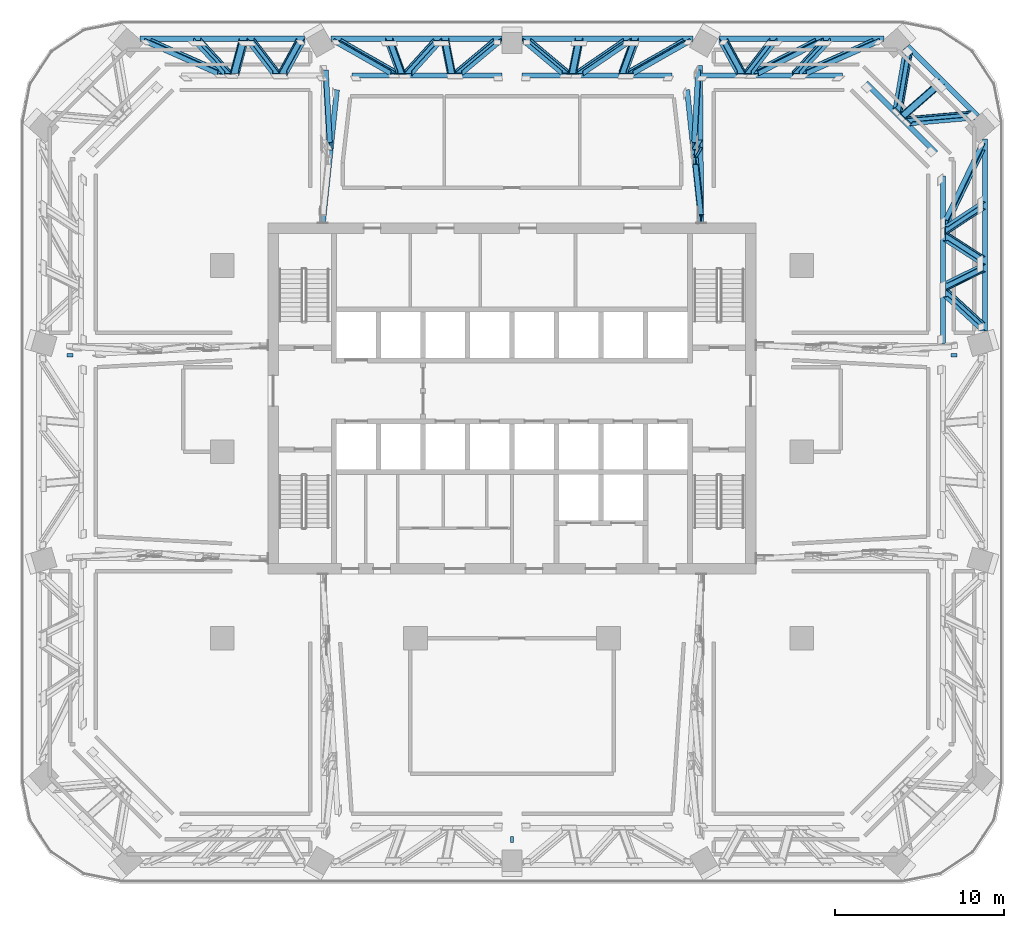
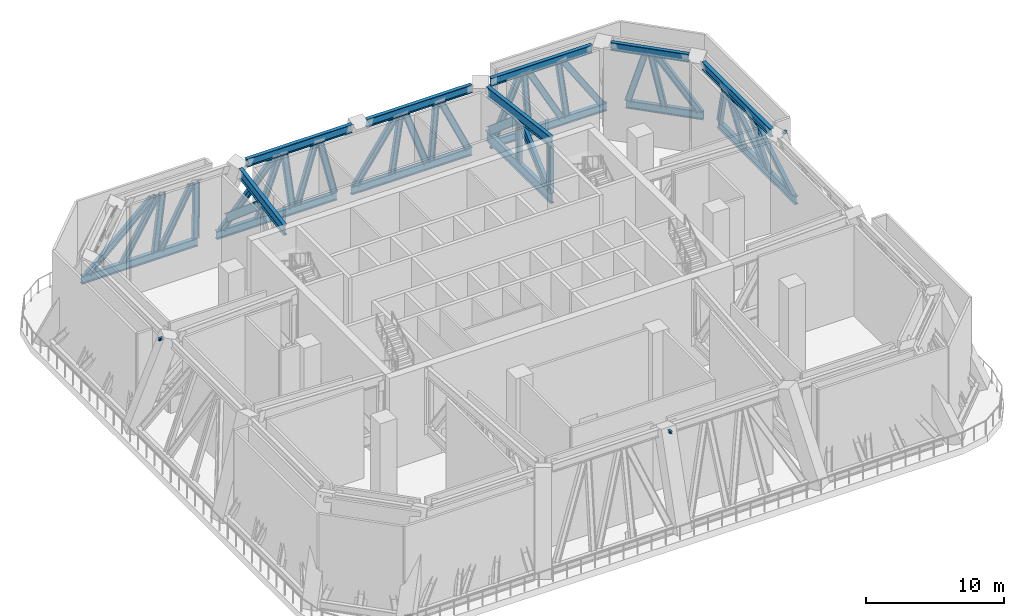
# One storey, part 4 of 24: 47 members, 3 beams.
"""IFC4 building model written with IfcOpenShell, lengths in metres."""

from ifc_helpers import new_model, si_unit, direction, frame, origin, origin_2d, place, context, subcontext, project, spatial, i_section, extrude, material, material_profile, profile_set, type_object, element, save


model = new_model("IFC4")

# Units and contexts
model_context = context("Model", 3, precision=1e-05, world=origin(), true_north=direction((0.0, 1.0)))
body_context = subcontext(model_context, "Body", "Model", "MODEL_VIEW")
ifc_project = project(units=[si_unit("LENGTHUNIT", "METRE"), si_unit("AREAUNIT", "SQUARE_METRE"), si_unit("VOLUMEUNIT", "CUBIC_METRE"), si_unit("PLANEANGLEUNIT", "RADIAN"), si_unit("MASSUNIT", "GRAM", prefix="KILO")], contexts=[model_context])

# Site, building, storey
site_placement = place(None, origin())
site = spatial("IfcSite", under=ifc_project, at=site_placement, CompositionType="ELEMENT")
building_placement = place(site_placement, origin())
building = spatial("IfcBuilding", under=site, at=building_placement, Name="Mopane Tessera Tower", CompositionType="ELEMENT")
storey_placement = place(building_placement, frame((0.0, 0.0, 148.60009765625)))
storey = spatial("IfcBuildingStorey", under=building, at=storey_placement, Name="L30", CompositionType="ELEMENT", Elevation=148.60009765625)

# Members
ifc_material_1 = material(Name="Structural steel S460", Category="steel")
ifc_material_profile_1 = material_profile(ifc_material_1, i_section(OverallWidth=0.303955078125, OverallDepth=0.716064453125, WebThickness=0.02099609375, FlangeThickness=0.0400390625, FilletRadius=0.027099609375, at=origin_2d()))
ifc_profile_set_1 = profile_set([ifc_material_profile_1], Name="Structural steel S460")
member_type_1 = type_object("IfcMemberType", Name="Belt truss chord HE 700 M", PredefinedType="CHORD", material=ifc_profile_set_1)
member_1_placement = place(storey_placement, frame((27.928466796875, 7.133544921875, 0.35791015625), z_axis=(0.0, 1.0, 0.0), x_axis=(-1.0, 0.0, 0.0)))
element("IfcMember", 1, at=member_1_placement, inside=storey, type_object=member_type_1, Name="Belt truss bottom chord L30 E2-E3", PredefinedType="CHORD", context=body_context, shape_type="SweptSolid", body=[
    extrude(i_section(OverallWidth=0.303955078125, OverallDepth=0.716064453125, WebThickness=0.02099609375, FlangeThickness=0.0400390625, FilletRadius=0.027099609375, at=origin_2d()), origin(), (0.0, 0.0, 1.0), 11.3291015625),
])
member_2_placement = place(storey_placement, frame((25.45703125, 6.410888671875, 7.641845703125), z_axis=(0.0, 1.0, 0.0), x_axis=(-1.0, 0.0, 0.0)))
element("IfcMember", 2, at=member_2_placement, inside=storey, type_object=member_type_1, Name="Belt truss top chord L30 E2-E3", PredefinedType="CHORD", context=body_context, shape_type="SweptSolid", body=[
    extrude(i_section(OverallWidth=0.303955078125, OverallDepth=0.716064453125, WebThickness=0.02099609375, FlangeThickness=0.0400390625, FilletRadius=0.027099609375, at=origin_2d()), origin(), (0.0, 0.0, 1.0), 9.884033203125),
])
member_3_placement = place(storey_placement, frame((27.496826171875, 19.8251953125, 0.35791015625), z_axis=(-0.707106781187, 0.707106781187, 0.0), x_axis=(-0.707106781187, -0.707106781187, 0.0)))
element("IfcMember", 3, at=member_3_placement, inside=storey, type_object=member_type_1, Name="Belt truss bottom chord L30 E3-N0", PredefinedType="CHORD", context=body_context, shape_type="SweptSolid", body=[
    extrude(i_section(OverallWidth=0.303955078125, OverallDepth=0.716064453125, WebThickness=0.02099609375, FlangeThickness=0.0400390625, FilletRadius=0.027099609375, at=origin_2d()), origin(), (0.0, 0.0, 1.0), 5.849853515625),
])
member_4_placement = place(storey_placement, frame((25.025390625, 17.657470703125, 7.641845703125), z_axis=(-0.707127648719, 0.707085913038, 0.0), x_axis=(-0.707085913038, -0.707127648719, 0.0)))
element("IfcMember", 4, at=member_4_placement, inside=storey, type_object=member_type_1, Name="Belt truss top chord L30 E3-N0", PredefinedType="CHORD", context=body_context, shape_type="SweptSolid", body=[
    extrude(i_section(OverallWidth=0.303955078125, OverallDepth=0.716064453125, WebThickness=0.02099609375, FlangeThickness=0.0400390625, FilletRadius=0.027099609375, at=origin_2d()), origin(), (0.0, 0.0, 1.0), 5.849609375),
])
member_5_placement = place(storey_placement, frame((21.97216796875, 24.3935546875, 0.35791015625), z_axis=(-1.0, 0.0, 0.0), x_axis=(0.0, -1.0, 0.0)))
element("IfcMember", 5, at=member_5_placement, inside=storey, type_object=member_type_1, Name="Belt truss bottom chord L30 N0-N1", PredefinedType="CHORD", context=body_context, shape_type="SweptSolid", body=[
    extrude(i_section(OverallWidth=0.303955078125, OverallDepth=0.716064453125, WebThickness=0.02099609375, FlangeThickness=0.0400390625, FilletRadius=0.027099609375, at=origin_2d()), origin(), (0.0, 0.0, 1.0), 9.7314453125),
])
member_6_placement = place(storey_placement, frame((19.500732421875, 22.2255859375, 7.641845703125), z_axis=(-1.0, 0.0, 0.0), x_axis=(0.0, -1.0, 0.0)))
element("IfcMember", 6, at=member_6_placement, inside=storey, type_object=member_type_1, Name="Belt truss top chord L30 N0-N1", PredefinedType="CHORD", context=body_context, shape_type="SweptSolid", body=[
    extrude(i_section(OverallWidth=0.303955078125, OverallDepth=0.716064453125, WebThickness=0.02099609375, FlangeThickness=0.0400390625, FilletRadius=0.027099609375, at=origin_2d()), origin(), (0.0, 0.0, 1.0), 8.495361328125),
])
member_7_placement = place(storey_placement, frame((10.6875, 24.3935546875, 0.35791015625), z_axis=(-1.0, 0.0, 0.0), x_axis=(0.0, -1.0, 0.0)))
element("IfcMember", 7, at=member_7_placement, inside=storey, type_object=member_type_1, Name="Belt truss bottom chord L30 N1-N2", PredefinedType="CHORD", context=body_context, shape_type="SweptSolid", body=[
    extrude(i_section(OverallWidth=0.303955078125, OverallDepth=0.716064453125, WebThickness=0.02099609375, FlangeThickness=0.0400390625, FilletRadius=0.027099609375, at=origin_2d()), origin(), (0.0, 0.0, 1.0), 10.087890625),
])
member_8_placement = place(storey_placement, frame((9.451904296875, 22.2255859375, 7.641845703125), z_axis=(-1.0, 0.0, 0.0), x_axis=(0.0, -1.0, 0.0)))
element("IfcMember", 8, at=member_8_placement, inside=storey, type_object=member_type_1, Name="Belt truss top chord L30 N1-N2", PredefinedType="CHORD", context=body_context, shape_type="SweptSolid", body=[
    extrude(i_section(OverallWidth=0.303955078125, OverallDepth=0.716064453125, WebThickness=0.02099609375, FlangeThickness=0.0400390625, FilletRadius=0.027099609375, at=origin_2d()), origin(), (0.0, 0.0, 1.0), 8.852294921875),
])
member_9_placement = place(storey_placement, frame((-0.599609375, 24.3935546875, 0.35791015625), z_axis=(-1.0, 0.0, 0.0), x_axis=(0.0, -1.0, 0.0)))
element("IfcMember", 9, at=member_9_placement, inside=storey, type_object=member_type_1, Name="Belt truss bottom chord L30 N2-N3", PredefinedType="CHORD", context=body_context, shape_type="SweptSolid", body=[
    extrude(i_section(OverallWidth=0.303955078125, OverallDepth=0.716064453125, WebThickness=0.02099609375, FlangeThickness=0.0400390625, FilletRadius=0.027099609375, at=origin_2d()), origin(), (0.0, 0.0, 1.0), 10.087890625),
])
member_10_placement = place(storey_placement, frame((-0.599609375, 22.2255859375, 7.641845703125), z_axis=(-1.0, 0.0, 0.0), x_axis=(0.0, -1.0, 0.0)))
element("IfcMember", 10, at=member_10_placement, inside=storey, type_object=member_type_1, Name="Belt truss top chord L30 N2-N3", PredefinedType="CHORD", context=body_context, shape_type="SweptSolid", body=[
    extrude(i_section(OverallWidth=0.303955078125, OverallDepth=0.716064453125, WebThickness=0.02099609375, FlangeThickness=0.0400390625, FilletRadius=0.027099609375, at=origin_2d()), origin(), (0.0, 0.0, 1.0), 8.852294921875),
])
member_11_placement = place(storey_placement, frame((-12.24072265625, 24.3935546875, 0.35791015625), z_axis=(-1.0, 0.0, 0.0), x_axis=(0.0, -1.0, 0.0)))
element("IfcMember", 11, at=member_11_placement, inside=storey, type_object=member_type_1, Name="Belt truss bottom chord L30 N3-N4", PredefinedType="CHORD", context=body_context, shape_type="SweptSolid", body=[
    extrude(i_section(OverallWidth=0.303955078125, OverallDepth=0.716064453125, WebThickness=0.02099609375, FlangeThickness=0.0400390625, FilletRadius=0.027099609375, at=origin_2d()), origin(), (0.0, 0.0, 1.0), 9.7314453125),
])
ifc_material_2 = material(Name="Structural steel S460", Category="steel")
ifc_material_profile_2 = material_profile(ifc_material_2, i_section(OverallWidth=0.300048828125, OverallDepth=0.5, WebThickness=0.014404296875, FlangeThickness=0.028076171875, FilletRadius=0.027099609375, at=origin_2d()))
ifc_profile_set_2 = profile_set([ifc_material_profile_2], Name="Structural steel S460")
member_type_2 = type_object("IfcMemberType", Name="Belt truss diagonal HE 500 B", PredefinedType="BRACE", material=ifc_profile_set_2)
member_12_placement = place(storey_placement, frame((27.782958984375, 7.377197265625, 0.787109375), z_axis=(-0.308034642932, 0.284337016987, 0.907891579168), x_axis=(-0.951375140784, -0.092078103531, -0.293950615494)))
element("IfcMember", 12, at=member_12_placement, inside=storey, type_object=member_type_2, Name="Belt truss diagonal 0 L30 E2-E3", PredefinedType="BRACE", context=body_context, shape_type="SweptSolid", body=[
    extrude(i_section(OverallWidth=0.300048828125, OverallDepth=0.5, WebThickness=0.014404296875, FlangeThickness=0.028076171875, FilletRadius=0.027099609375, at=origin_2d()), origin(), (0.0, 0.0, 1.0), 7.07763671875),
])
member_13_placement = place(storey_placement, frame((27.78564453125, 11.291259765625, 0.779541015625), z_axis=(-0.314628603401, 0.203285505146, 0.927191374701), x_axis=(-0.949214855117, -0.06740952681, -0.307322492701)))
element("IfcMember", 13, at=member_13_placement, inside=storey, type_object=member_type_2, Name="Belt truss diagonal 1 L30 E2-E3", PredefinedType="BRACE", context=body_context, shape_type="SweptSolid", body=[
    extrude(i_section(OverallWidth=0.300048828125, OverallDepth=0.5, WebThickness=0.014404296875, FlangeThickness=0.028076171875, FilletRadius=0.027099609375, at=origin_2d()), origin(), (0.0, 0.0, 1.0), 6.946533203125),
])
member_14_placement = place(storey_placement, frame((25.602783203125, 13.484375, 7.212890625), z_axis=(0.267157591425, 0.5555262391, -0.787411848409), x_axis=(-0.963652852959, 0.153995532867, -0.218308393888)))
element("IfcMember", 14, at=member_14_placement, inside=storey, type_object=member_type_2, Name="Belt truss diagonal 2 L30 E2-E3", PredefinedType="BRACE", context=body_context, shape_type="SweptSolid", body=[
    extrude(i_section(OverallWidth=0.300048828125, OverallDepth=0.5, WebThickness=0.014404296875, FlangeThickness=0.028076171875, FilletRadius=0.027099609375, at=origin_2d()), origin(), (0.0, 0.0, 1.0), 8.16064453125),
])
member_15_placement = place(storey_placement, frame((27.20263671875, 19.86328125, 0.759765625), z_axis=(-0.504595818255, -0.044567108449, 0.862204635248), x_axis=(-0.554692988801, -0.748541479717, -0.363319888415)))
element("IfcMember", 15, at=member_15_placement, inside=storey, type_object=member_type_2, Name="Belt truss diagonal 0 L30 E3-N0", PredefinedType="BRACE", context=body_context, shape_type="SweptSolid", body=[
    extrude(i_section(OverallWidth=0.300048828125, OverallDepth=0.5, WebThickness=0.014404296875, FlangeThickness=0.028076171875, FilletRadius=0.027099609375, at=origin_2d()), origin(), (0.0, 0.0, 1.0), 7.515869140625),
])
member_16_placement = place(storey_placement, frame((22.776611328125, 20.161865234375, 7.239990234375), z_axis=(0.081781629419, 0.475976340966, -0.875647353636), x_axis=(-0.734409592741, -0.565169586582, -0.375800330619)))
element("IfcMember", 16, at=member_16_placement, inside=storey, type_object=member_type_2, Name="Belt truss diagonal 1 L30 E3-N0", PredefinedType="BRACE", context=body_context, shape_type="SweptSolid", body=[
    extrude(i_section(OverallWidth=0.300048828125, OverallDepth=0.5, WebThickness=0.014404296875, FlangeThickness=0.028076171875, FilletRadius=0.027099609375, at=origin_2d()), origin(), (0.0, 0.0, 1.0), 7.400390625),
])
member_17_placement = place(storey_placement, frame((21.50634765625, 24.271240234375, 0.768798828125), z_axis=(-0.539957771067, -0.240096366228, 0.806721352382), x_axis=(0.133562461913, -0.970749058537, -0.199517753889)))
element("IfcMember", 17, at=member_17_placement, inside=storey, type_object=member_type_2, Name="Belt truss diagonal 0 L30 N0-N1", PredefinedType="BRACE", context=body_context, shape_type="SweptSolid", body=[
    extrude(i_section(OverallWidth=0.300048828125, OverallDepth=0.5, WebThickness=0.014404296875, FlangeThickness=0.028076171875, FilletRadius=0.027099609375, at=origin_2d()), origin(), (0.0, 0.0, 1.0), 8.0107421875),
])
member_18_placement = place(storey_placement, frame((18.126220703125, 24.273681640625, 0.7607421875), z_axis=(-0.489528727002, -0.248748496806, 0.83575463551), x_axis=(0.125750463876, -0.968568110283, -0.214622078497)))
element("IfcMember", 18, at=member_18_placement, inside=storey, type_object=member_type_2, Name="Belt truss diagonal 1 L30 N0-N1", PredefinedType="BRACE", context=body_context, shape_type="SweptSolid", body=[
    extrude(i_section(OverallWidth=0.300048828125, OverallDepth=0.5, WebThickness=0.014404296875, FlangeThickness=0.028076171875, FilletRadius=0.027099609375, at=origin_2d()), origin(), (0.0, 0.0, 1.0), 7.751708984375),
])
member_19_placement = place(storey_placement, frame((13.532958984375, 22.347900390625, 7.231201171875), z_axis=(-0.154753056421, 0.281817979308, -0.946905548652), x_axis=(-0.045419249479, -0.959467886571, -0.278133900157)))
element("IfcMember", 19, at=member_19_placement, inside=storey, type_object=member_type_2, Name="Belt truss diagonal 2 L30 N0-N1", PredefinedType="BRACE", context=body_context, shape_type="SweptSolid", body=[
    extrude(i_section(OverallWidth=0.300048828125, OverallDepth=0.5, WebThickness=0.014404296875, FlangeThickness=0.028076171875, FilletRadius=0.027099609375, at=origin_2d()), origin(), (0.0, 0.0, 1.0), 6.82470703125),
])
member_20_placement = place(storey_placement, frame((10.31396484375, 24.269775390625, 0.7734375), z_axis=(-0.447801640419, -0.255043639384, 0.856986833532), x_axis=(0.118069036868, -0.966929542152, -0.226068491937)))
element("IfcMember", 20, at=member_20_placement, inside=storey, type_object=member_type_2, Name="Belt truss diagonal 0 L30 N1-N2", PredefinedType="BRACE", context=body_context, shape_type="SweptSolid", body=[
    extrude(i_section(OverallWidth=0.300048828125, OverallDepth=0.5, WebThickness=0.014404296875, FlangeThickness=0.028076171875, FilletRadius=0.027099609375, at=origin_2d()), origin(), (0.0, 0.0, 1.0), 7.52978515625),
])
member_21_placement = place(storey_placement, frame((6.800048828125, 24.272216796875, 0.765380859375), z_axis=(-0.386206711804, -0.263121047886, 0.884088055522), x_axis=(0.105312041538, -0.964762827733, -0.241126647496)))
element("IfcMember", 21, at=member_21_placement, inside=storey, type_object=member_type_2, Name="Belt truss diagonal 1 L30 N1-N2", PredefinedType="BRACE", context=body_context, shape_type="SweptSolid", body=[
    extrude(i_section(OverallWidth=0.300048828125, OverallDepth=0.5, WebThickness=0.014404296875, FlangeThickness=0.028076171875, FilletRadius=0.027099609375, at=origin_2d()), origin(), (0.0, 0.0, 1.0), 7.317138671875),
])
for number, where, z_axis, x_axis, name in (
    (22, (3.178466796875, 22.349365234375, 7.226318359375), (-0.322762135486, 0.269975218814, -0.907159294238), (-0.090500976826, -0.962867270821, -0.254354461284), "Belt truss diagonal 2 L30 N1-N2"),
    (23, (-0.882568359375, 24.269775390625, 0.7734375), (-0.322762135486, -0.269975218814, 0.907159294238), (0.090500976826, -0.962867270821, -0.254354461284), "Belt truss diagonal 0 L30 N2-N3"),
):
    element("IfcMember", number, at=place(storey_placement, frame(where, z_axis=z_axis, x_axis=x_axis)), inside=storey, type_object=member_type_2, Name=name, PredefinedType="BRACE", context=body_context, shape_type="SweptSolid", body=[
        extrude(i_section(OverallWidth=0.300048828125, OverallDepth=0.5, WebThickness=0.014404296875, FlangeThickness=0.028076171875, FilletRadius=0.027099609375, at=origin_2d()), origin(), (0.0, 0.0, 1.0), 7.11328125),
    ])
member_22_placement = place(storey_placement, frame((-4.397705078125, 24.272216796875, 0.765380859375), z_axis=(-0.2506543194, -0.276146963229, 0.927855197143), x_axis=(0.072015912907, -0.961115422151, -0.266591173133)))
element("IfcMember", 24, at=member_22_placement, inside=storey, type_object=member_type_2, Name="Belt truss diagonal 1 L30 N2-N3", PredefinedType="BRACE", context=body_context, shape_type="SweptSolid", body=[
    extrude(i_section(OverallWidth=0.300048828125, OverallDepth=0.5, WebThickness=0.014404296875, FlangeThickness=0.028076171875, FilletRadius=0.027099609375, at=origin_2d()), origin(), (0.0, 0.0, 1.0), 6.971923828125),
])
member_23_placement = place(storey_placement, frame((-6.942138671875, 22.349365234375, 7.226318359375), z_axis=(-0.447801640419, 0.255043639384, -0.856986833532), x_axis=(-0.118069036868, -0.966929542152, -0.226068491937)))
element("IfcMember", 25, at=member_23_placement, inside=storey, type_object=member_type_2, Name="Belt truss diagonal 2 L30 N2-N3", PredefinedType="BRACE", context=body_context, shape_type="SweptSolid", body=[
    extrude(i_section(OverallWidth=0.300048828125, OverallDepth=0.5, WebThickness=0.014404296875, FlangeThickness=0.028076171875, FilletRadius=0.027099609375, at=origin_2d()), origin(), (0.0, 0.0, 1.0), 7.52978515625),
])
member_24_placement = place(storey_placement, frame((-12.476806640625, 24.271240234375, 0.768798828125), z_axis=(-0.154753056421, -0.281817979308, 0.946905548652), x_axis=(0.045419249479, -0.959467886571, -0.278133900157)))
element("IfcMember", 26, at=member_24_placement, inside=storey, type_object=member_type_2, Name="Belt truss diagonal 0 L30 N3-N4", PredefinedType="BRACE", context=body_context, shape_type="SweptSolid", body=[
    extrude(i_section(OverallWidth=0.300048828125, OverallDepth=0.5, WebThickness=0.014404296875, FlangeThickness=0.028076171875, FilletRadius=0.027099609375, at=origin_2d()), origin(), (0.0, 0.0, 1.0), 6.82470703125),
])
member_25_placement = place(storey_placement, frame((-15.861083984375, 24.273681640625, 0.7607421875), z_axis=(-0.076276738224, -0.284435164539, 0.955656055482), x_axis=(0.022662644211, -0.958695278084, -0.283530894855)))
element("IfcMember", 27, at=member_25_placement, inside=storey, type_object=member_type_2, Name="Belt truss diagonal 1 L30 N3-N4", PredefinedType="BRACE", context=body_context, shape_type="SweptSolid", body=[
    extrude(i_section(OverallWidth=0.300048828125, OverallDepth=0.5, WebThickness=0.014404296875, FlangeThickness=0.028076171875, FilletRadius=0.027099609375, at=origin_2d()), origin(), (0.0, 0.0, 1.0), 6.779052734375),
])
member_26_placement = place(storey_placement, frame((-17.180908203125, 22.347900390625, 7.231201171875), z_axis=(-0.539957771067, 0.240096366228, -0.806721352382), x_axis=(-0.133562461913, -0.970749058537, -0.199517753889)))
element("IfcMember", 28, at=member_26_placement, inside=storey, type_object=member_type_2, Name="Belt truss diagonal 2 L30 N3-N4", PredefinedType="BRACE", context=body_context, shape_type="SweptSolid", body=[
    extrude(i_section(OverallWidth=0.300048828125, OverallDepth=0.5, WebThickness=0.014404296875, FlangeThickness=0.028076171875, FilletRadius=0.027099609375, at=origin_2d()), origin(), (0.0, 0.0, 1.0), 8.0107421875),
])
ifc_material_3 = material(Name="Structural steel S460", Category="steel")
ifc_material_profile_3 = material_profile(ifc_material_3, i_section(OverallWidth=0.300048828125, OverallDepth=0.449951171875, WebThickness=0.013916015625, FlangeThickness=0.02587890625, FilletRadius=0.027099609375, at=origin_2d()))
ifc_profile_set_3 = profile_set([ifc_material_profile_3], Name="Structural steel S460")
member_type_3 = type_object("IfcMemberType", Name="Belt truss post HE 450 B", PredefinedType="POST", material=ifc_profile_set_3)
member_27_placement = place(storey_placement, frame((27.80712890625, 10.866943359375, 0.7158203125), z_axis=(-0.317327080208, -0.156821040624, 0.935259688741), x_axis=(-0.948316151939, 0.052487909456, -0.312956059746)))
element("IfcMember", 29, at=member_27_placement, inside=storey, type_object=member_type_3, Name="Belt truss post 1 L30 E2-E3", PredefinedType="POST", context=body_context, shape_type="SweptSolid", body=[
    extrude(i_section(OverallWidth=0.300048828125, OverallDepth=0.449951171875, WebThickness=0.013916015625, FlangeThickness=0.02587890625, FilletRadius=0.027099609375, at=origin_2d()), origin(), (0.0, 0.0, 1.0), 7.022705078125),
])
member_28_placement = place(storey_placement, frame((27.80712890625, 14.555908203125, 0.7158203125), z_axis=(-0.314271402728, -0.208056757963, 0.926253675239), x_axis=(-0.949333178878, 0.068845032913, -0.306638022633)))
element("IfcMember", 30, at=member_28_placement, inside=storey, type_object=member_type_3, Name="Belt truss post 2 L30 E2-E3", PredefinedType="POST", context=body_context, shape_type="SweptSolid", body=[
    extrude(i_section(OverallWidth=0.300048828125, OverallDepth=0.449951171875, WebThickness=0.013916015625, FlangeThickness=0.02587890625, FilletRadius=0.027099609375, at=origin_2d()), origin(), (0.0, 0.0, 1.0), 7.091064453125),
])
member_29_placement = place(storey_placement, frame((25.30712890625, 21.786865234375, 0.7158203125), z_axis=(-0.309254295345, -0.27127510329, 0.911466729588), x_axis=(-0.636223022636, -0.653344973559, -0.410317695198)))
element("IfcMember", 31, at=member_29_placement, inside=storey, type_object=member_type_3, Name="Belt truss post 1 L30 E3-N0", PredefinedType="POST", context=body_context, shape_type="SweptSolid", body=[
    extrude(i_section(OverallWidth=0.300048828125, OverallDepth=0.449951171875, WebThickness=0.013916015625, FlangeThickness=0.02587890625, FilletRadius=0.027099609375, at=origin_2d()), origin(), (0.0, 0.0, 1.0), 7.2060546875),
])
member_30_placement = place(storey_placement, frame((18.58349609375, 24.286865234375, 0.7158203125), z_axis=(-0.256114656832, -0.275744259413, 0.926482803919), x_axis=(0.073510528883, -0.961231034564, -0.265765122494)))
element("IfcMember", 32, at=member_30_placement, inside=storey, type_object=member_type_3, Name="Belt truss post 1 L30 N0-N1", PredefinedType="POST", context=body_context, shape_type="SweptSolid", body=[
    extrude(i_section(OverallWidth=0.300048828125, OverallDepth=0.449951171875, WebThickness=0.013916015625, FlangeThickness=0.02587890625, FilletRadius=0.027099609375, at=origin_2d()), origin(), (0.0, 0.0, 1.0), 7.08935546875),
])
member_31_placement = place(storey_placement, frame((15.426513671875, 24.286865234375, 0.7158203125), z_axis=(-0.214820709014, -0.278598868978, 0.936074106673), x_axis=(0.062297860569, -0.960407554053, -0.271544299675)))
element("IfcMember", 33, at=member_31_placement, inside=storey, type_object=member_type_3, Name="Belt truss post 2 L30 N0-N1", PredefinedType="POST", context=body_context, shape_type="SweptSolid", body=[
    extrude(i_section(OverallWidth=0.300048828125, OverallDepth=0.449951171875, WebThickness=0.013916015625, FlangeThickness=0.02587890625, FilletRadius=0.027099609375, at=origin_2d()), origin(), (0.0, 0.0, 1.0), 7.0166015625),
])
member_32_placement = place(storey_placement, frame((7.247802734375, 24.286865234375, 0.7158203125), z_axis=(-0.102768832793, -0.283748291095, 0.953375830566), x_axis=(0.030455696145, -0.958898798305, -0.282109101558)))
element("IfcMember", 34, at=member_32_placement, inside=storey, type_object=member_type_3, Name="Belt truss post 1 L30 N1-N2", PredefinedType="POST", context=body_context, shape_type="SweptSolid", body=[
    extrude(i_section(OverallWidth=0.300048828125, OverallDepth=0.449951171875, WebThickness=0.013916015625, FlangeThickness=0.02587890625, FilletRadius=0.027099609375, at=origin_2d()), origin(), (0.0, 0.0, 1.0), 6.889404296875),
])
for number, where, z_axis, x_axis, name in (
    (35, (3.9580078125, 24.286865234375, 0.7158203125), (-0.056306738982, -0.284806101722, 0.956930005574), (0.01684538224, -0.958585140719, -0.284307511491), "Belt truss post 2 L30 N1-N2"),
    (36, (-3.9580078125, 24.286865234375, 0.7158203125), (0.056306738982, -0.284806101722, 0.956930005574), (-0.01684538224, -0.958585140719, -0.284307511491), "Belt truss post 1 L30 N2-N3"),
):
    element("IfcMember", number, at=place(storey_placement, frame(where, z_axis=z_axis, x_axis=x_axis)), inside=storey, type_object=member_type_3, Name=name, PredefinedType="POST", context=body_context, shape_type="SweptSolid", body=[
        extrude(i_section(OverallWidth=0.300048828125, OverallDepth=0.449951171875, WebThickness=0.013916015625, FlangeThickness=0.02587890625, FilletRadius=0.027099609375, at=origin_2d()), origin(), (0.0, 0.0, 1.0), 6.86376953125),
    ])
member_33_placement = place(storey_placement, frame((-7.247802734375, 24.286865234375, 0.7158203125), z_axis=(0.102768832793, -0.283748291095, 0.953375830566), x_axis=(-0.030455696145, -0.958898798305, -0.282109101558)))
element("IfcMember", 37, at=member_33_placement, inside=storey, type_object=member_type_3, Name="Belt truss post 2 L30 N2-N3", PredefinedType="POST", context=body_context, shape_type="SweptSolid", body=[
    extrude(i_section(OverallWidth=0.300048828125, OverallDepth=0.449951171875, WebThickness=0.013916015625, FlangeThickness=0.02587890625, FilletRadius=0.027099609375, at=origin_2d()), origin(), (0.0, 0.0, 1.0), 6.889404296875),
])
member_34_placement = place(storey_placement, frame((-15.426513671875, 24.286865234375, 0.7158203125), z_axis=(0.214820709014, -0.278598868978, 0.936074106673), x_axis=(-0.062297860569, -0.960407554053, -0.271544299675)))
element("IfcMember", 38, at=member_34_placement, inside=storey, type_object=member_type_3, Name="Belt truss post 1 L30 N3-N4", PredefinedType="POST", context=body_context, shape_type="SweptSolid", body=[
    extrude(i_section(OverallWidth=0.300048828125, OverallDepth=0.449951171875, WebThickness=0.013916015625, FlangeThickness=0.02587890625, FilletRadius=0.027099609375, at=origin_2d()), origin(), (0.0, 0.0, 1.0), 7.0166015625),
])
member_35_placement = place(storey_placement, frame((-18.58349609375, 24.286865234375, 0.7158203125), z_axis=(0.256114656832, -0.275744259413, 0.926482803919), x_axis=(-0.073510528883, -0.961231034564, -0.265765122494)))
element("IfcMember", 39, at=member_35_placement, inside=storey, type_object=member_type_3, Name="Belt truss post 2 L30 N3-N4", PredefinedType="POST", context=body_context, shape_type="SweptSolid", body=[
    extrude(i_section(OverallWidth=0.300048828125, OverallDepth=0.449951171875, WebThickness=0.013916015625, FlangeThickness=0.02587890625, FilletRadius=0.027099609375, at=origin_2d()), origin(), (0.0, 0.0, 1.0), 7.08935546875),
])
ifc_material_4 = material(Name="Structural steel S460", Category="steel")
ifc_material_profile_4 = material_profile(ifc_material_4, i_section(OverallWidth=0.302001953125, OverallDepth=0.909912109375, WebThickness=0.02099609375, FlangeThickness=0.0400390625, FilletRadius=0.030029296875, at=origin_2d()))
ifc_profile_set_4 = profile_set([ifc_material_profile_4], Name="Structural steel S460")
member_type_4 = type_object("IfcMemberType", Name="Outrigger truss chord HE 900 M", PredefinedType="CHORD", material=ifc_profile_set_4)
member_36_placement = place(storey_placement, frame((11.168701171875, 13.515625, 2.554931640625), z_axis=(-0.007542690632, 0.999971553504, 0.0), x_axis=(-0.999971553504, -0.007542690632, 0.0)))
element("IfcMember", 40, at=member_36_placement, inside=storey, type_object=member_type_4, Name="Outrigger truss bottom chord L30 N1", PredefinedType="CHORD", context=body_context, shape_type="SweptSolid", body=[
    extrude(i_section(OverallWidth=0.302001953125, OverallDepth=0.909912109375, WebThickness=0.02099609375, FlangeThickness=0.0400390625, FilletRadius=0.030029296875, at=origin_2d()), origin(), (0.0, 0.0, 1.0), 9.28955078125),
])
for number, where, z_axis, x_axis, name in (
    (41, (11.1669921875, 13.515625, 7.544921875), (-0.104900118807, 0.994482762583, 0.0), (-0.994482762583, -0.104900118807, 0.0), "Outrigger truss top chord L30 N1"),
    (42, (-11.1669921875, 13.515625, 7.544921875), (0.104900118807, 0.994482762583, 0.0), (-0.994482762583, 0.104900118807, 0.0), "Outrigger truss top chord L30 N3"),
):
    element("IfcMember", number, at=place(storey_placement, frame(where, z_axis=z_axis, x_axis=x_axis)), inside=storey, type_object=member_type_4, Name=name, PredefinedType="CHORD", context=body_context, shape_type="SweptSolid", body=[
        extrude(i_section(OverallWidth=0.302001953125, OverallDepth=0.909912109375, WebThickness=0.02099609375, FlangeThickness=0.0400390625, FilletRadius=0.030029296875, at=origin_2d()), origin(), (0.0, 0.0, 1.0), 7.908447265625),
    ])
ifc_material_5 = material(Name="Structural steel S460", Category="steel")
ifc_material_profile_5 = material_profile(ifc_material_5, i_section(OverallWidth=0.300048828125, OverallDepth=0.699951171875, WebThickness=0.01708984375, FlangeThickness=0.031982421875, FilletRadius=0.027099609375, at=origin_2d()))
ifc_profile_set_5 = profile_set([ifc_material_profile_5], Name="Structural steel S460")
member_type_5 = type_object("IfcMemberType", Name="Outrigger truss diagonal HE 700 B", PredefinedType="BRACE", material=ifc_profile_set_5)
member_37_placement = place(storey_placement, frame((11.15478515625, 14.227783203125, 3.223876953125), z_axis=(-0.068290950981, 0.633880109105, 0.770410509595), x_axis=(-0.997648769472, -0.047853995424, -0.04906045141)))
element("IfcMember", 43, at=member_37_placement, inside=storey, type_object=member_type_5, Name="Outrigger truss diagonal 0 L30 N1", PredefinedType="BRACE", context=body_context, shape_type="SweptSolid", body=[
    extrude(i_section(OverallWidth=0.300048828125, OverallDepth=0.699951171875, WebThickness=0.01708984375, FlangeThickness=0.031982421875, FilletRadius=0.027099609375, at=origin_2d()), origin(), (0.0, 0.0, 1.0), 4.740478515625),
])
for number, where, z_axis, x_axis, name in (
    (44, (10.7578125, 18.053466796875, 6.864990234375), (0.043068428336, 0.761397608826, -0.646852990837), (-0.999060266411, 0.029667722731, -0.031597631348), "Outrigger truss diagonal 1 L30 N1"),
    (45, (-10.7578125, 18.053466796875, 6.864990234375), (-0.043068428336, 0.761397608826, -0.646852990837), (-0.999060266411, -0.029667722731, 0.031597631348), "Outrigger truss diagonal 1 L30 N3"),
):
    element("IfcMember", number, at=place(storey_placement, frame(where, z_axis=z_axis, x_axis=x_axis)), inside=storey, type_object=member_type_5, Name=name, PredefinedType="BRACE", context=body_context, shape_type="SweptSolid", body=[
        extrude(i_section(OverallWidth=0.300048828125, OverallDepth=0.699951171875, WebThickness=0.01708984375, FlangeThickness=0.031982421875, FilletRadius=0.027099609375, at=origin_2d()), origin(), (0.0, 0.0, 1.0), 5.612060546875),
    ])
ifc_material_6 = material(Name="Structural steel S460", Category="steel")
ifc_material_profile_6 = material_profile(ifc_material_6, i_section(OverallWidth=0.300048828125, OverallDepth=0.5, WebThickness=0.014404296875, FlangeThickness=0.028076171875, FilletRadius=0.027099609375, at=origin_2d()))
ifc_profile_set_6 = profile_set([ifc_material_profile_6], Name="Structural steel S460")
member_type_6 = type_object("IfcMemberType", Name="Outrigger truss post HE 500 B", PredefinedType="POST", material=ifc_profile_set_6)
member_38_placement = place(storey_placement, frame((11.16455078125, 13.7646484375, 3.010009765625), z_axis=(-0.004428043533, -0.007778995397, 0.999959939028), x_axis=(-0.999957728317, -0.008023554372, -0.004490451437)))
element("IfcMember", 46, at=member_38_placement, inside=storey, type_object=member_type_6, Name="Outrigger truss post 0 L30 N1", PredefinedType="POST", context=body_context, shape_type="SweptSolid", body=[
    extrude(i_section(OverallWidth=0.300048828125, OverallDepth=0.5, WebThickness=0.014404296875, FlangeThickness=0.028076171875, FilletRadius=0.027099609375, at=origin_2d()), origin(), (0.0, 0.0, 1.0), 4.080078125),
])
member_39_placement = place(storey_placement, frame((11.09716796875, 18.179931640625, 3.010009765625), z_axis=(-0.077600622032, -0.13611137284, 0.98764965329), x_axis=(-0.996957709031, 0.003328236166, -0.077873289693)))
element("IfcMember", 47, at=member_39_placement, inside=storey, type_object=member_type_6, Name="Outrigger truss post 1 L30 N1", PredefinedType="POST", context=body_context, shape_type="SweptSolid", body=[
    extrude(i_section(OverallWidth=0.300048828125, OverallDepth=0.5, WebThickness=0.014404296875, FlangeThickness=0.028076171875, FilletRadius=0.027099609375, at=origin_2d()), origin(), (0.0, 0.0, 1.0), 4.130859375),
])

# Beams
ifc_material_7 = material(Name="Structural steel S460", Category="steel")
ifc_material_profile_7 = material_profile(ifc_material_7, i_section(OverallWidth=0.199951171875, OverallDepth=0.199951171875, WebThickness=0.009033203125, FlangeThickness=0.014892578125, FilletRadius=0.01806640625, at=origin_2d()))
ifc_profile_set_7 = profile_set([ifc_material_profile_7], Name="Structural steel S460")
beam_type = type_object("IfcBeamType", Name="Terrace trimmer beam HE 200 B", PredefinedType="BEAM", material=ifc_profile_set_7)
for number, where, z_axis, x_axis, name in (
    (48, (-25.920654296875, 5.70654296875, 7.89990234375), (-1.0, 0.0, 0.0), (0.0, -1.0, 0.0), "Terrace trimmer beam N1 L31"),
    (49, (0.0, -22.7041015625, 7.89990234375), (0.0, -1.0, 0.0), (1.0, 0.0, 0.0), "Terrace trimmer beam N2 L31"),
    (50, (25.920654296875, 5.70654296875, 7.89990234375), (1.0, 0.0, 0.0), (0.0, 1.0, 0.0), "Terrace trimmer beam N3 L31"),
):
    element("IfcBeam", number, at=place(storey_placement, frame(where, z_axis=z_axis, x_axis=x_axis)), inside=storey, type_object=beam_type, Name=name, PredefinedType="BEAM", context=body_context, shape_type="SweptSolid", body=[
        extrude(i_section(OverallWidth=0.199951171875, OverallDepth=0.199951171875, WebThickness=0.009033203125, FlangeThickness=0.014892578125, FilletRadius=0.01806640625, at=origin_2d()), origin(), (0.0, 0.0, 1.0), 0.364990234375),
    ])

save(model, "model.ifc")
